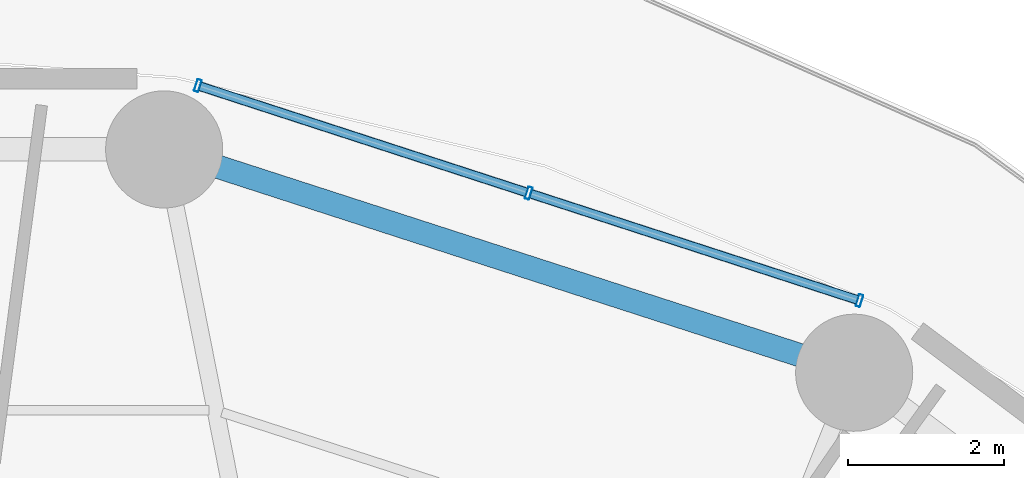
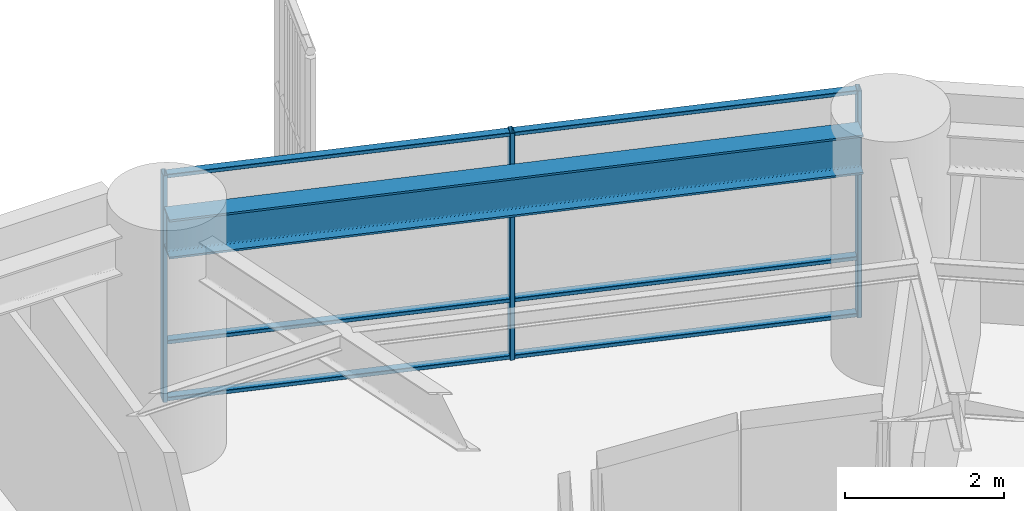
# One storey, part 20 of 32: 9 members, 1 beam, 1 element without a shape of its own.
"""IFC4 building model written with IfcOpenShell, lengths in metres."""

import ifcopenshell
import ifcopenshell.guid

model = None  # the IFC model being written
_history = None  # IfcOwnerHistory: only IFC2X3 demands one
_inside = {}  # id of a spatial element -> (the spatial element, [elements in it])
_under = {}  # id of a project, library or spatial element -> (it, [spatial elements below it])
_declared = {}  # id of a project -> (the project, [libraries it declares])
_typed = {}  # id of a type object -> (the type object, [elements of that type])
_made_of = {}  # id of a material, layer set ... -> (it, [elements and type objects made of it])


def new_model(schema):
    """Start an empty IFC model of exactly this schema.

    Asked for "IFC4X3", IfcOpenShell would pick the latest addendum, in which some entities
    have other attributes; the version numbers below select the first issue.
    IFC2X3 requires an IfcOwnerHistory on every rooted entity: one is made here for all.
    """
    global model, _history
    if schema == "IFC4X3":
        model = ifcopenshell.file(schema_version=(4, 3, 0, 0))
    else:
        model = ifcopenshell.file(schema=schema)
    _inside.clear()
    _under.clear()
    _declared.clear()
    _typed.clear()
    _made_of.clear()
    _history = None
    if model.schema == "IFC2X3":
        org = make("IfcOrganization", Name="unknown")
        user = make(
            "IfcPersonAndOrganization",
            ThePerson=make("IfcPerson", FamilyName="unknown"),
            TheOrganization=org,
        )
        app = make(
            "IfcApplication",
            ApplicationDeveloper=org,
            Version="unknown",
            ApplicationFullName="unknown",
            ApplicationIdentifier="unknown",
        )
        _history = make(
            "IfcOwnerHistory",
            OwningUser=user,
            OwningApplication=app,
            ChangeAction="ADDED",
            CreationDate=0,
        )
    return model


def make(cls, **values):
    """One entity of the class cls with the attributes given. An attribute that is None is left unset."""
    return model.create_entity(
        cls, **{name: value for name, value in values.items() if value is not None}
    )


def rooted(cls, **values):
    """An entity with a GlobalId (a new one), such as an element, a storey or a relation."""
    return make(cls, GlobalId=ifcopenshell.guid.new(), OwnerHistory=_history, **values)


def si_unit(unit_type, name, prefix=None):
    """IfcSIUnit, for example si_unit("LENGTHUNIT", "METRE", prefix="MILLI")."""
    return make("IfcSIUnit", UnitType=unit_type, Prefix=prefix, Name=name)


def assignment(units):
    """IfcUnitAssignment: the units of a project."""
    return None if units is None else make("IfcUnitAssignment", Units=units)


def point(xyz):
    """IfcCartesianPoint."""
    return None if xyz is None else make("IfcCartesianPoint", Coordinates=xyz)


def direction(xyz):
    """IfcDirection."""
    return None if xyz is None else make("IfcDirection", DirectionRatios=xyz)


def frame(location, z_axis=None, x_axis=None):
    """IfcAxis2Placement3D, a coordinate frame: its origin and axes. An axis left out is left unset."""
    return make(
        "IfcAxis2Placement3D",
        Location=point(location),
        Axis=direction(z_axis),
        RefDirection=direction(x_axis),
    )


def frame_2d(location, x_axis=None):
    """IfcAxis2Placement2D, a coordinate frame in the plane: its origin and x axis."""
    return make(
        "IfcAxis2Placement2D", Location=point(location), RefDirection=direction(x_axis)
    )


def origin():
    """The frame at (0, 0, 0) with its axes left unset."""
    return frame((0.0, 0.0, 0.0))


def origin_2d():
    """The frame at (0, 0) in the plane with its x axis left unset."""
    return frame_2d((0.0, 0.0))


def place(relative_to, where):
    """IfcLocalPlacement: puts the frame where relative to a parent placement (None: the world)."""
    return make(
        "IfcLocalPlacement", PlacementRelTo=relative_to, RelativePlacement=where
    )


def context(
    kind, dimensions, precision=None, world=None, true_north=None, identifier=None
):
    """IfcGeometricRepresentationContext, for example the 3D "Model" context."""
    return make(
        "IfcGeometricRepresentationContext",
        ContextIdentifier=identifier,
        ContextType=kind,
        CoordinateSpaceDimension=dimensions,
        Precision=precision,
        WorldCoordinateSystem=world,
        TrueNorth=true_north,
    )


def subcontext(parent, identifier, kind, view, scale=None):
    """IfcGeometricRepresentationSubContext, for example "Body" below "Model"."""
    return make(
        "IfcGeometricRepresentationSubContext",
        ContextIdentifier=identifier,
        ContextType=kind,
        ParentContext=parent,
        TargetScale=scale,
        TargetView=view,
    )


def project(units=None, contexts=None):
    """IfcProject with its units and contexts."""
    return rooted(
        "IfcProject",
        Name="project",
        RepresentationContexts=contexts,
        UnitsInContext=assignment(units),
    )


def spatial(cls, under=None, at=None, **own):
    """A site, building, storey or space (cls), placed at a placement, below another one or the project."""
    s = rooted(cls, ObjectPlacement=at, **own)
    if under is not None:
        _under.setdefault(under.id(), (under, []))[1].append(s)
    return s


def profile(cls, at=None, kind="AREA", **sizes):
    """A parametric profile (cls). Its sizes go by their IFC names, for example OverallWidth=200.0."""
    return make(cls, ProfileType=kind, Position=at, **sizes)


def hollow_rectangle(**sizes):
    """IfcRectangleHollowProfileDef."""
    return profile("IfcRectangleHollowProfileDef", **sizes)


def i_section(**sizes):
    """IfcIShapeProfileDef."""
    return profile("IfcIShapeProfileDef", **sizes)


def extrude(swept, where, along, depth):
    """IfcExtrudedAreaSolid: the profile swept, set in the frame where, extruded along a direction by depth."""
    return make(
        "IfcExtrudedAreaSolid",
        SweptArea=swept,
        Position=where,
        ExtrudedDirection=direction(along),
        Depth=depth,
    )


def shape(context_of_items, identifier, shape_type, items):
    """IfcShapeRepresentation: the items that make up one representation, for example the "Body"."""
    return make(
        "IfcShapeRepresentation",
        ContextOfItems=context_of_items,
        RepresentationIdentifier=identifier,
        RepresentationType=shape_type,
        Items=items,
    )


def material(Name=None, Category=None):
    """IfcMaterial."""
    return make("IfcMaterial", Name=Name, Category=Category)


def layer(
    of_material, thickness, ventilated=None, Name=None, Category=None, Priority=None
):
    """IfcMaterialLayer: one layer of a wall or slab, of a material (None: an air gap)."""
    return make(
        "IfcMaterialLayer",
        Material=of_material,
        LayerThickness=thickness,
        IsVentilated=ventilated,
        Name=Name,
        Category=Category,
        Priority=Priority,
    )


def layer_set(layers, Name=None):
    """IfcMaterialLayerSet."""
    return make("IfcMaterialLayerSet", MaterialLayers=layers, LayerSetName=Name)


def material_profile(
    of_material, cross_section, Name=None, Category=None, Priority=None
):
    """IfcMaterialProfile: a cross section and its material."""
    return make(
        "IfcMaterialProfile",
        Name=Name,
        Material=of_material,
        Profile=cross_section,
        Priority=Priority,
        Category=Category,
    )


def profile_set(profiles, Name=None, composite=None):
    """IfcMaterialProfileSet."""
    return make(
        "IfcMaterialProfileSet",
        Name=Name,
        MaterialProfiles=profiles,
        CompositeProfile=composite,
    )


def made_of(thing, what):
    """Note that an element or type object is made of a material, layer set ...; save() writes the relation."""
    if what is not None:
        _made_of.setdefault(what.id(), (what, []))[1].append(thing)
    return thing


def type_object(cls, material=None, **own):
    """A type object (cls), such as IfcWallType, which elements share."""
    return made_of(rooted(cls, **own), material)


def element(
    cls,
    number,
    at=None,
    inside=None,
    cuts=None,
    type_object=None,
    material=None,
    context=None,
    identifier="Body",
    shape_type=None,
    held_by="IfcProductDefinitionShape",
    body=None,
    shapes=None,
    **own,
):
    """One element of the class cls, such as IfcWall. Its Tag is "e" and its number.

    at: its placement. inside: the storey or other place that contains it. cuts: it is an
    opening in that element (IfcRelVoidsElement). A single representation is given by context,
    identifier, shape_type and body (its items); several are given by shapes. held_by: the class
    of the entity that holds the representations. save() writes the other relations.
    """
    e = rooted(cls, Tag="e%d" % number, ObjectPlacement=at, **own)
    if body is not None:
        shapes = [shape(context, identifier, shape_type, body)]
    if shapes is not None:
        e.Representation = make(held_by, Representations=shapes)
    if inside is not None:
        _inside.setdefault(inside.id(), (inside, []))[1].append(e)
    if cuts is not None:
        rooted(
            "IfcRelVoidsElement", RelatingBuildingElement=cuts, RelatedOpeningElement=e
        )
    if type_object is not None:
        _typed.setdefault(type_object.id(), (type_object, []))[1].append(e)
    return made_of(e, material)


def aggregate(whole, parts):
    """IfcRelAggregates: a whole, such as a stair, and the parts it consists of."""
    return rooted("IfcRelAggregates", RelatingObject=whole, RelatedObjects=parts)


def save(model, path):
    """Write the relations noted so far, then the file.

    IfcRelAggregates (storeys below a building ...), IfcRelContainedInSpatialStructure (elements
    in a storey), IfcRelDefinesByType, IfcRelAssociatesMaterial and IfcRelDeclares: one each for
    every whole, place, type object, material and project.
    """
    for whole, parts in _under.values():
        aggregate(whole, parts)
    for where, things in _inside.values():
        rooted(
            "IfcRelContainedInSpatialStructure",
            RelatedElements=things,
            RelatingStructure=where,
        )
    for kind, things in _typed.values():
        rooted("IfcRelDefinesByType", RelatedObjects=things, RelatingType=kind)
    for what, things in _made_of.values():
        rooted("IfcRelAssociatesMaterial", RelatedObjects=things, RelatingMaterial=what)
    for by, libraries in _declared.values():
        rooted("IfcRelDeclares", RelatingContext=by, RelatedDefinitions=libraries)
    model.write(path)


model = new_model("IFC4")

# Units and contexts
model_context = context("Model", 3, precision=1e-05, world=origin(), true_north=direction((0.0, 1.0)))
body_context = subcontext(model_context, "Body", "Model", "MODEL_VIEW")
ifc_project = project(units=[si_unit("LENGTHUNIT", "METRE"), si_unit("AREAUNIT", "SQUARE_METRE"), si_unit("VOLUMEUNIT", "CUBIC_METRE"), si_unit("PLANEANGLEUNIT", "RADIAN"), si_unit("MASSUNIT", "GRAM", prefix="KILO")], contexts=[model_context])

# Site, building, storey
site_placement = place(None, origin())
site = spatial("IfcSite", under=ifc_project, at=site_placement, CompositionType="ELEMENT")
building_placement = place(site_placement, origin())
building = spatial("IfcBuilding", under=site, at=building_placement, Name="Kelanora Arch Commons", CompositionType="ELEMENT")
storey_placement = place(building_placement, frame((0.0, 0.0, 48.75)))
storey = spatial("IfcBuildingStorey", under=building, at=storey_placement, Name="L12", CompositionType="ELEMENT", Elevation=48.75)

# Beam
ifc_material_1 = material(Name="Steel S355", Category="steel")
ifc_material_profile_1 = material_profile(ifc_material_1, i_section(OverallWidth=0.300048828125, OverallDepth=0.60009765625, WebThickness=0.015380859375, FlangeThickness=0.030029296875, FilletRadius=0.027099609375, at=origin_2d()), Name="HEB600")
ifc_profile_set_1 = profile_set([ifc_material_profile_1], Name="Steel S355")
beam_type = type_object("IfcBeamType", Name="BM-SPN-Z1", PredefinedType="SPANDREL", material=ifc_profile_set_1)
beam_placement = place(storey_placement, frame((87.178466796875, 78.970947265625, 3.18994140625), z_axis=(-0.951414770924, 0.307912217469, 0.0), x_axis=(-0.307912217469, -0.951414770924, 0.0)))
element("IfcBeam", 1, at=beam_placement, inside=storey, type_object=beam_type, Name="Perimeter Spandrel Beam BS-06 L12", PredefinedType="SPANDREL", context=body_context, shape_type="SweptSolid", body=[
    extrude(i_section(OverallWidth=0.300048828125, OverallDepth=0.60009765625, WebThickness=0.015380859375, FlangeThickness=0.030029296875, FilletRadius=0.027099609375, at=origin_2d()), origin(), (0.0, 0.0, 1.0), 8.908935546875),
])

# Curtain wall, members
ifc_material_2 = material(Name="Terracotta ceramic-fritted low-E glass and aluminium", Category="masonry")
ifc_layer = layer(ifc_material_2, 0.159912109375)
ifc_layer_set = layer_set([ifc_layer], Name="Terracotta ceramic-fritted low-E glass and aluminium")
curtain_wall_type = type_object("IfcCurtainWallType", Name="CW-SYS-01", PredefinedType="NOTDEFINED", material=ifc_layer_set)
curtain_wall_placement = place(storey_placement, origin())
curtain_wall = element("IfcCurtainWall", 2, at=curtain_wall_placement, inside=storey, type_object=curtain_wall_type, Name="Unitised Curtain Wall L12-B03", PredefinedType="NOTDEFINED")
ifc_material_3 = material(Name="Powder-coated aluminium terracotta", Category="masonry")
ifc_material_profile_2 = material_profile(ifc_material_3, hollow_rectangle(XDim=0.159912109375, YDim=0.06005859375, WallThickness=0.0048828125, InnerFilletRadius=0.0048828125, OuterFilletRadius=0.010009765625, at=origin_2d()), Name="CWM160x60")
ifc_profile_set_2 = profile_set([ifc_material_profile_2], Name="Powder-coated aluminium terracotta")
member_type_1 = type_object("IfcMemberType", Name="CWM-STD", PredefinedType="MULLION", material=ifc_profile_set_2)
member_1_placement = place(storey_placement, frame((87.607666015625, 79.778076171875, 0.0), z_axis=(0.0, 0.0, 1.0), x_axis=(-0.30905758454, -0.951043326793, 0.0)))
member_1 = element("IfcMember", 3, at=member_1_placement, type_object=member_type_1, Name="CW-01 mullion 1", PredefinedType="MULLION", context=body_context, shape_type="SweptSolid", body=[
    extrude(hollow_rectangle(XDim=0.159912109375, YDim=0.06005859375, WallThickness=0.0048828125, InnerFilletRadius=0.0048828125, OuterFilletRadius=0.010009765625, at=origin_2d()), origin(), (0.0, 0.0, 1.0), 3.47509765625),
])
member_2_placement = place(storey_placement, frame((83.37109375, 81.15478515625, 0.0), z_axis=(0.0, 0.0, 1.0), x_axis=(-0.30905758454, -0.951043326793, 0.0)))
member_2 = element("IfcMember", 4, at=member_2_placement, type_object=member_type_1, Name="CW-01 mullion 2", PredefinedType="MULLION", context=body_context, shape_type="SweptSolid", body=[
    extrude(hollow_rectangle(XDim=0.159912109375, YDim=0.06005859375, WallThickness=0.0048828125, InnerFilletRadius=0.0048828125, OuterFilletRadius=0.010009765625, at=origin_2d()), origin(), (0.0, 0.0, 1.0), 3.47509765625),
])
member_3_placement = place(storey_placement, frame((79.134521484375, 82.53173828125, 0.0), z_axis=(0.0, 0.0, 1.0), x_axis=(-0.30905758454, -0.951043326793, 0.0)))
member_3 = element("IfcMember", 5, at=member_3_placement, type_object=member_type_1, Name="CW-01 mullion 3", PredefinedType="MULLION", context=body_context, shape_type="SweptSolid", body=[
    extrude(hollow_rectangle(XDim=0.159912109375, YDim=0.06005859375, WallThickness=0.0048828125, InnerFilletRadius=0.0048828125, OuterFilletRadius=0.010009765625, at=origin_2d()), origin(), (0.0, 0.0, 1.0), 3.47509765625),
])
ifc_material_profile_3 = material_profile(ifc_material_3, hollow_rectangle(XDim=0.1201171875, YDim=0.06005859375, WallThickness=0.0048828125, InnerFilletRadius=0.0048828125, OuterFilletRadius=0.010009765625, at=origin_2d()), Name="CWT120x60")
ifc_profile_set_3 = profile_set([ifc_material_profile_3], Name="Powder-coated aluminium terracotta")
member_type_2 = type_object("IfcMemberType", Name="CWT-STD", PredefinedType="USERDEFINED", material=ifc_profile_set_3)
member_4_placement = place(storey_placement, frame((87.5791015625, 79.787353515625, 0.030029296875), z_axis=(-0.951045091182, 0.309052155047, 0.0), x_axis=(-0.309052155047, -0.951045091182, 0.0)))
member_4 = element("IfcMember", 6, at=member_4_placement, type_object=member_type_2, Name="CW-01 transom 1.1", ObjectType="TRANSOM", PredefinedType="USERDEFINED", context=body_context, shape_type="SweptSolid", body=[
    extrude(hollow_rectangle(XDim=0.1201171875, YDim=0.06005859375, WallThickness=0.0048828125, InnerFilletRadius=0.0048828125, OuterFilletRadius=0.010009765625, at=origin_2d()), origin(), (0.0, 0.0, 1.0), 4.39453125),
])
member_5_placement = place(storey_placement, frame((87.5791015625, 79.787353515625, 0.89990234375), z_axis=(-0.951045091182, 0.309052155047, 0.0), x_axis=(-0.309052155047, -0.951045091182, 0.0)))
member_5 = element("IfcMember", 7, at=member_5_placement, type_object=member_type_2, Name="CW-01 transom 1.2", ObjectType="TRANSOM", PredefinedType="USERDEFINED", context=body_context, shape_type="SweptSolid", body=[
    extrude(hollow_rectangle(XDim=0.1201171875, YDim=0.06005859375, WallThickness=0.0048828125, InnerFilletRadius=0.0048828125, OuterFilletRadius=0.010009765625, at=origin_2d()), origin(), (0.0, 0.0, 1.0), 4.39453125),
])
member_6_placement = place(storey_placement, frame((87.5791015625, 79.787353515625, 3.445068359375), z_axis=(-0.951045091182, 0.309052155047, 0.0), x_axis=(-0.309052155047, -0.951045091182, 0.0)))
member_6 = element("IfcMember", 8, at=member_6_placement, type_object=member_type_2, Name="CW-01 transom 1.3", ObjectType="TRANSOM", PredefinedType="USERDEFINED", context=body_context, shape_type="SweptSolid", body=[
    extrude(hollow_rectangle(XDim=0.1201171875, YDim=0.06005859375, WallThickness=0.0048828125, InnerFilletRadius=0.0048828125, OuterFilletRadius=0.010009765625, at=origin_2d()), origin(), (0.0, 0.0, 1.0), 4.39453125),
])
member_7_placement = place(storey_placement, frame((83.342529296875, 81.1640625, 0.030029296875), z_axis=(-0.951028761285, 0.309102402464, 0.0), x_axis=(-0.309102402464, -0.951028761285, 0.0)))
member_7 = element("IfcMember", 9, at=member_7_placement, type_object=member_type_2, Name="CW-01 transom 2.1", ObjectType="TRANSOM", PredefinedType="USERDEFINED", context=body_context, shape_type="SweptSolid", body=[
    extrude(hollow_rectangle(XDim=0.1201171875, YDim=0.06005859375, WallThickness=0.0048828125, InnerFilletRadius=0.0048828125, OuterFilletRadius=0.010009765625, at=origin_2d()), origin(), (0.0, 0.0, 1.0), 4.394775390625),
])
member_8_placement = place(storey_placement, frame((83.342529296875, 81.1640625, 0.89990234375), z_axis=(-0.951028761285, 0.309102402464, 0.0), x_axis=(-0.309102402464, -0.951028761285, 0.0)))
member_8 = element("IfcMember", 10, at=member_8_placement, type_object=member_type_2, Name="CW-01 transom 2.2", ObjectType="TRANSOM", PredefinedType="USERDEFINED", context=body_context, shape_type="SweptSolid", body=[
    extrude(hollow_rectangle(XDim=0.1201171875, YDim=0.06005859375, WallThickness=0.0048828125, InnerFilletRadius=0.0048828125, OuterFilletRadius=0.010009765625, at=origin_2d()), origin(), (0.0, 0.0, 1.0), 4.394775390625),
])
member_9_placement = place(storey_placement, frame((83.342529296875, 81.1640625, 3.445068359375), z_axis=(-0.951028761285, 0.309102402464, 0.0), x_axis=(-0.309102402464, -0.951028761285, 0.0)))
member_9 = element("IfcMember", 11, at=member_9_placement, type_object=member_type_2, Name="CW-01 transom 2.3", ObjectType="TRANSOM", PredefinedType="USERDEFINED", context=body_context, shape_type="SweptSolid", body=[
    extrude(hollow_rectangle(XDim=0.1201171875, YDim=0.06005859375, WallThickness=0.0048828125, InnerFilletRadius=0.0048828125, OuterFilletRadius=0.010009765625, at=origin_2d()), origin(), (0.0, 0.0, 1.0), 4.394775390625),
])
aggregate(curtain_wall, [member_1, member_2, member_3, member_4, member_5, member_6, member_7, member_8, member_9])

save(model, "model.ifc")
